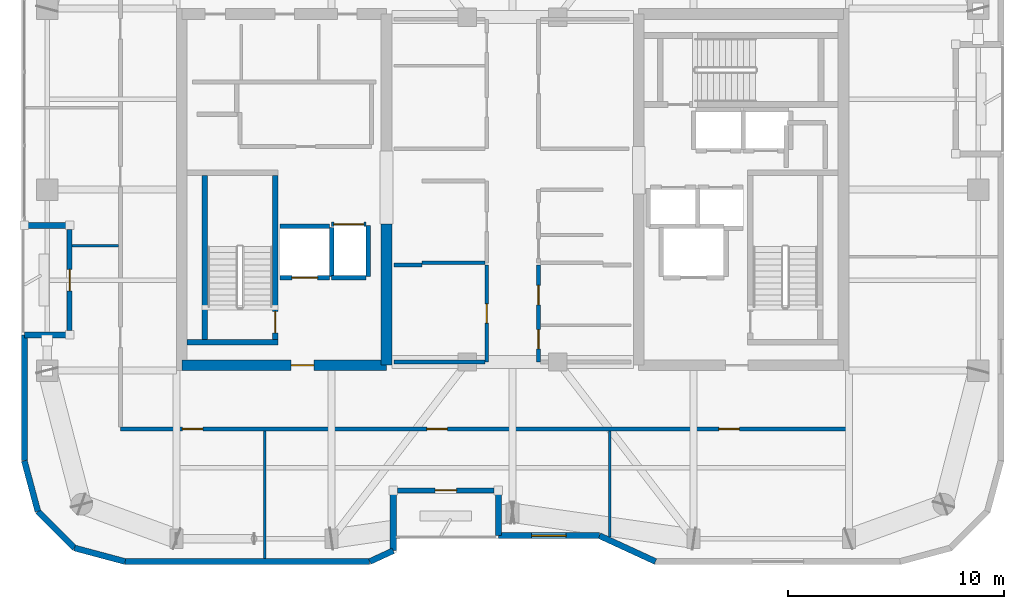
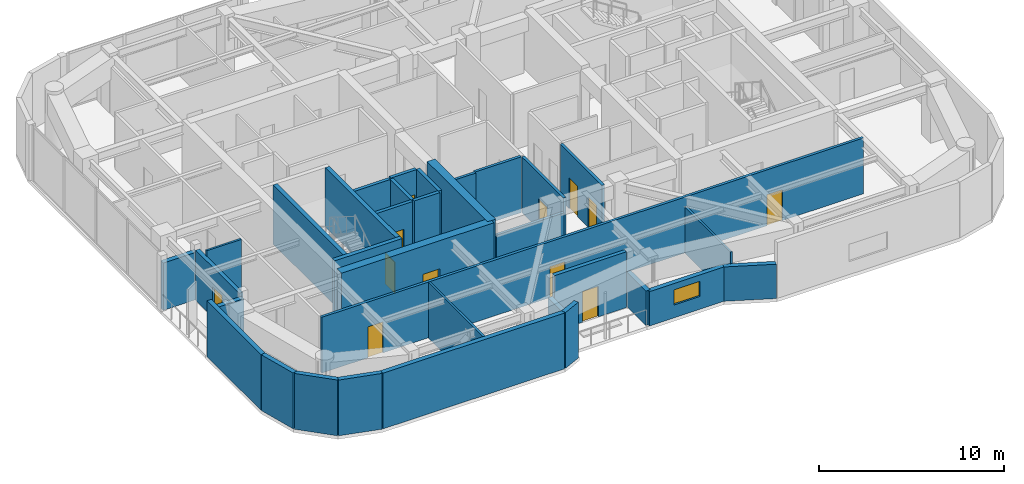
# One storey, part 10 of 15: 34 walls, 12 doors, 1 window, 13 openings.
"""IFC4 building model written with IfcOpenShell, lengths in metres."""

from ifc_helpers import new_model, si_unit, direction, frame, frame_2d, origin, place, context, subcontext, project, spatial, rectangle, extrude, material, layer, layer_set, type_object, element, fill, save


model = new_model("IFC4")

# Units and contexts
model_context = context("Model", 3, precision=1e-05, world=origin(), true_north=direction((0.0, 1.0)))
body_context = subcontext(model_context, "Body", "Model", "MODEL_VIEW")
ifc_project = project(units=[si_unit("LENGTHUNIT", "METRE"), si_unit("AREAUNIT", "SQUARE_METRE"), si_unit("VOLUMEUNIT", "CUBIC_METRE"), si_unit("PLANEANGLEUNIT", "RADIAN"), si_unit("MASSUNIT", "GRAM", prefix="KILO")], contexts=[model_context])

# Site, building, storey
site_placement = place(None, origin())
site = spatial("IfcSite", under=ifc_project, at=site_placement, CompositionType="ELEMENT")
building_placement = place(site_placement, origin())
building = spatial("IfcBuilding", under=site, at=building_placement, Name="Kiyonajd Concourse Tower", CompositionType="ELEMENT")
storey_placement = place(building_placement, frame((0.0, 0.0, 266.699951171875)))
storey = spatial("IfcBuildingStorey", under=building, at=storey_placement, Name="L67", CompositionType="ELEMENT", Elevation=266.699951171875)

# Wall
ifc_material_1 = material(Name="Concrete C60/75", Category="concrete")
ifc_layer_1 = layer(ifc_material_1, 0.5)
ifc_layer_set_1 = layer_set([ifc_layer_1], Name="Concrete C60/75")
wall_type_1 = type_object("IfcWallType", Name="WL-CORE-500", PredefinedType="SHEAR", material=ifc_layer_set_1)
wall_1_placement = place(storey_placement, frame((42.14990234375, 27.85009765625, 0.0), z_axis=(0.0, 0.0, 1.0), x_axis=(0.0, 1.0, 0.0)))
element("IfcWall", 1, at=wall_1_placement, inside=storey, type_object=wall_type_1, Name="L67 West Core Inner South Shear Wall", PredefinedType="SHEAR", context=body_context, shape_type="SweptSolid", body=[
    extrude(rectangle(XDim=6.5498046875, YDim=0.5, at=frame_2d((3.27490234375, 0.0))), origin(), (0.0, 0.0, 1.0), 3.900146484375),
])

# Wall, opening, door
wall_2_placement = place(storey_placement, frame((32.64990234375, 27.85009765625, 0.0), z_axis=(0.0, 0.0, 1.0), x_axis=(1.0, 0.0, 0.0)))
wall_2 = element("IfcWall", 2, at=wall_2_placement, inside=storey, type_object=wall_type_1, Name="L67 West Core South Shear Wall", PredefinedType="SHEAR", context=body_context, shape_type="SweptSolid", body=[
    extrude(rectangle(XDim=9.5, YDim=0.5, at=frame_2d((4.75, 0.0))), origin(), (0.0, 0.0, 1.0), 3.900146484375),
])
opening_1_placement = place(wall_2_placement, frame((5.074951171875, 0.0, 0.0)))
opening_1 = element("IfcOpeningElement", 3, at=opening_1_placement, cuts=wall_2, Name="Opening DF5", PredefinedType="OPENING", context=body_context, shape_type="SweptSolid", body=[
    extrude(rectangle(XDim=1.050048828125, YDim=2.0400390625, at=frame_2d((0.52490234375, 1.02001953125))), frame((0.0, 0.260009765625, 0.0), z_axis=(0.0, -1.0, 0.0), x_axis=(1.0, 0.0, 0.0)), (0.0, 0.0, 1.0), 0.52001953125),
])
ifc_material_2 = material(Name="Brushed Stainless Steel Cab Assembly", Category="steel")
door_type_1 = type_object("IfcDoorType", Name="DR-FD45-1050", OperationType="NOTDEFINED", PredefinedType="DOOR", material=ifc_material_2)
door_1_placement = place(opening_1_placement, origin())
door_1 = element("IfcDoor", 4, at=door_1_placement, inside=storey, type_object=door_type_1, Name="L67 Firefighting Lift Lobby W Smoke Door", OperationType="SINGLE_SWING_LEFT", OverallHeight=2.0400390625, OverallWidth=1.050048828125, PredefinedType="DOOR", context=body_context, shape_type="SweptSolid", body=[
    extrude(rectangle(XDim=1.050048828125, YDim=2.0400390625, at=frame_2d((0.52490234375, 1.02001953125))), frame((0.0, 0.02490234375, 0.0), z_axis=(0.0, -1.0, 0.0), x_axis=(1.0, 0.0, 0.0)), (0.0, 0.0, 1.0), 0.050048828125),
])
fill(opening_1, door_1)

# Walls
ifc_material_3 = material(Name="Precast concrete C50/60", Category="concrete")
ifc_layer_2 = layer(ifc_material_3, 0.280029296875)
ifc_layer_set_2 = layer_set([ifc_layer_2], Name="Precast concrete C50/60")
wall_type_2 = type_object("IfcWallType", Name="WL-EXT-280", PredefinedType="SOLIDWALL", material=ifc_layer_set_2)
wall_3_placement = place(storey_placement, frame((25.968505859375, 21.072509765625, 0.0), z_axis=(0.0, 0.0, 1.0), x_axis=(-0.258751159445, 0.965944013639, 0.0)))
element("IfcWall", 5, at=wall_3_placement, inside=storey, type_object=wall_type_2, Name="L67 Exterior Concrete Frame Wall 00", PredefinedType="SOLIDWALL", context=body_context, shape_type="SweptSolid", body=[
    extrude(rectangle(XDim=2.4287109375, YDim=0.280029296875, at=frame_2d((1.21435546875, 0.0))), origin(), (0.0, 0.0, 1.0), 3.679931640625),
])
wall_4_placement = place(storey_placement, frame((25.340087890625, 23.41845703125, 0.0), z_axis=(0.0, 0.0, 1.0), x_axis=(0.0, 1.0, 0.0)))
element("IfcWall", 6, at=wall_4_placement, inside=storey, type_object=wall_type_2, Name="L67 Exterior Concrete Frame Wall 01", PredefinedType="SOLIDWALL", context=body_context, shape_type="SweptSolid", body=[
    extrude(rectangle(XDim=5.841552734375, YDim=0.280029296875, at=frame_2d((2.9208984375, 0.0))), origin(), (0.0, 0.0, 1.0), 3.679931640625),
])
for number, where, z_axis, x_axis, name in (
    (7, (25.340087890625, 29.260009765625, 0.0), (0.0, 0.0, 1.0), (1.0, 0.0, 0.0), "L67 Exterior Concrete Frame Wall 02"),
    (8, (27.43994140625, 34.340087890625, 0.0), (0.0, 0.0, 1.0), (-1.0, 0.0, 0.0), "L67 Exterior Concrete Frame Wall 04"),
):
    element("IfcWall", number, at=place(storey_placement, frame(where, z_axis=z_axis, x_axis=x_axis)), inside=storey, type_object=wall_type_2, Name=name, PredefinedType="SOLIDWALL", context=body_context, shape_type="SweptSolid", body=[
        extrude(rectangle(XDim=2.099853515625, YDim=0.280029296875, at=frame_2d((1.0498046875, 0.0))), origin(), (0.0, 0.0, 1.0), 3.1259765625),
    ])
wall_5_placement = place(storey_placement, frame((54.630615234375, 18.739990234375, 0.0), z_axis=(0.0, 0.0, 1.0), x_axis=(-0.907956889006, 0.419063584324, 0.0)))
element("IfcWall", 9, at=wall_5_placement, inside=storey, type_object=wall_type_2, Name="L67 Exterior Concrete Frame Wall 29", PredefinedType="SOLIDWALL", context=body_context, shape_type="SweptSolid", body=[
    extrude(rectangle(XDim=2.863525390625, YDim=0.280029296875, at=frame_2d((1.431640625, 0.0))), origin(), (0.0, 0.0, 1.0), 2.26513671875),
])

# Wall, opening, window
wall_6_placement = place(storey_placement, frame((52.03076171875, 19.93994140625, 0.0), z_axis=(0.0, 0.0, 1.0), x_axis=(-1.0, 0.0, 0.0)))
wall_6 = element("IfcWall", 10, at=wall_6_placement, inside=storey, type_object=wall_type_2, Name="L67 Exterior Concrete Frame Wall 30", PredefinedType="SOLIDWALL", context=body_context, shape_type="SweptSolid", body=[
    extrude(rectangle(XDim=4.690673828125, YDim=0.280029296875, at=frame_2d((2.34521484375, 0.0))), origin(), (0.0, 0.0, 1.0), 2.26513671875),
])
opening_2_placement = place(wall_6_placement, frame((1.544921875, 0.0, 0.85009765625)))
opening_2 = element("IfcOpeningElement", 11, at=opening_2_placement, cuts=wall_6, Name="Opening WN6", PredefinedType="OPENING", context=body_context, shape_type="SweptSolid", body=[
    extrude(rectangle(XDim=1.60009765625, YDim=1.0, at=frame_2d((0.800048828125, 0.5))), frame((0.0, 0.14990234375, 0.0), z_axis=(0.0, -1.0, 0.0), x_axis=(1.0, 0.0, 0.0)), (0.0, 0.0, 1.0), 0.300048828125),
])
ifc_material_4 = material(Name="Double Low-E Insulated Glass", Category="glass")
window_type = type_object("IfcWindowType", Name="WN-VIS-1600x1000", PartitioningType="SINGLE_PANEL", PredefinedType="WINDOW", material=ifc_material_4)
window_placement = place(opening_2_placement, origin())
window = element("IfcWindow", 12, at=window_placement, inside=storey, type_object=window_type, Name="L67 Modular Facade Vision Window 30", OverallHeight=1.0, OverallWidth=1.60009765625, PartitioningType="SINGLE_PANEL", PredefinedType="WINDOW", context=body_context, shape_type="SweptSolid", body=[
    extrude(rectangle(XDim=1.60009765625, YDim=1.0, at=frame_2d((0.800048828125, 0.5))), frame((0.0, 0.030029296875, 0.0), z_axis=(0.0, -1.0, 0.0), x_axis=(1.0, 0.0, 0.0)), (0.0, 0.0, 1.0), 0.06005859375),
])
fill(opening_2, window)

# Walls
wall_7_placement = place(storey_placement, frame((47.340087890625, 19.93994140625, 0.0), z_axis=(0.0, 0.0, 1.0), x_axis=(0.0, 1.0, 0.0)))
element("IfcWall", 13, at=wall_7_placement, inside=storey, type_object=wall_type_2, Name="L67 Exterior Concrete Frame Wall 31", PredefinedType="SOLIDWALL", context=body_context, shape_type="SweptSolid", body=[
    extrude(rectangle(XDim=2.10009765625, YDim=0.280029296875, at=frame_2d((1.050048828125, 0.0))), origin(), (0.0, 0.0, 1.0), 2.26513671875),
])
wall_8_placement = place(storey_placement, frame((42.4599609375, 22.0400390625, 0.0), z_axis=(0.0, 0.0, 1.0), x_axis=(0.0, -1.0, 0.0)))
element("IfcWall", 14, at=wall_8_placement, inside=storey, type_object=wall_type_2, Name="L67 Exterior Concrete Frame Wall 33", PredefinedType="SOLIDWALL", context=body_context, shape_type="SweptSolid", body=[
    extrude(rectangle(XDim=2.79638671875, YDim=0.280029296875, at=frame_2d((1.398193359375, 0.0))), origin(), (0.0, 0.0, 1.0), 2.26513671875),
])
wall_9_placement = place(storey_placement, frame((42.4599609375, 19.24365234375, 0.0), z_axis=(0.0, 0.0, 1.0), x_axis=(-0.907893953211, -0.419199916176, 0.0)))
element("IfcWall", 15, at=wall_9_placement, inside=storey, type_object=wall_type_2, Name="L67 Exterior Concrete Frame Wall 34", PredefinedType="SOLIDWALL", context=body_context, shape_type="SweptSolid", body=[
    extrude(rectangle(XDim=1.201416015625, YDim=0.280029296875, at=frame_2d((0.6005859375, 0.0))), origin(), (0.0, 0.0, 1.0), 3.679931640625),
])
wall_10_placement = place(storey_placement, frame((41.369140625, 18.739990234375, 0.0), z_axis=(0.0, 0.0, 1.0), x_axis=(-1.0, 0.0, 0.0)))
element("IfcWall", 16, at=wall_10_placement, inside=storey, type_object=wall_type_2, Name="L67 Exterior Concrete Frame Wall 35", PredefinedType="SOLIDWALL", context=body_context, shape_type="SweptSolid", body=[
    extrude(rectangle(XDim=11.350830078125, YDim=0.280029296875, at=frame_2d((5.67529296875, 0.0))), origin(), (0.0, 0.0, 1.0), 3.679931640625),
])
wall_11_placement = place(storey_placement, frame((30.018310546875, 18.739990234375, 0.0), z_axis=(0.0, 0.0, 1.0), x_axis=(-0.965937282298, 0.25877628691, 0.0)))
element("IfcWall", 17, at=wall_11_placement, inside=storey, type_object=wall_type_2, Name="L67 Exterior Concrete Frame Wall 36", PredefinedType="SOLIDWALL", context=body_context, shape_type="SweptSolid", body=[
    extrude(rectangle(XDim=2.428466796875, YDim=0.280029296875, at=frame_2d((1.21435546875, 0.0))), origin(), (0.0, 0.0, 1.0), 3.679931640625),
])
wall_12_placement = place(storey_placement, frame((27.672607421875, 19.368408203125, 0.0), z_axis=(0.0, 0.0, 1.0), x_axis=(-0.707106781187, 0.707106781187, 0.0)))
element("IfcWall", 18, at=wall_12_placement, inside=storey, type_object=wall_type_2, Name="L67 Exterior Concrete Frame Wall 37", PredefinedType="SOLIDWALL", context=body_context, shape_type="SweptSolid", body=[
    extrude(rectangle(XDim=2.409912109375, YDim=0.280029296875, at=frame_2d((1.205078125, 0.0))), origin(), (0.0, 0.0, 1.0), 3.679931640625),
])

# Wall, opening, door
ifc_layer_3 = layer(ifc_material_3, 0.239990234375)
ifc_layer_set_3 = layer_set([ifc_layer_3], Name="Precast concrete C50/60")
wall_type_3 = type_object("IfcWallType", Name="WL-LOG-240", PredefinedType="SOLIDWALL", material=ifc_layer_set_3)
wall_13_placement = place(storey_placement, frame((27.43994140625, 29.455078125, 0.0), z_axis=(0.0, 0.0, 1.0), x_axis=(0.0, 1.0, 0.0)))
wall_13 = element("IfcWall", 19, at=wall_13_placement, inside=storey, type_object=wall_type_3, Name="L67 Recessed Loggia Thermal Wall LOG-W", PredefinedType="SOLIDWALL", context=body_context, shape_type="SweptSolid", body=[
    extrude(rectangle(XDim=4.68994140625, YDim=0.239990234375, at=frame_2d((2.344970703125, 0.0))), origin(), (0.0, 0.0, 1.0), 3.31103515625),
])
opening_3_placement = place(wall_13_placement, frame((1.844970703125, 0.0, 0.0)))
opening_3 = element("IfcOpeningElement", 20, at=opening_3_placement, cuts=wall_13, Name="Opening DL1", PredefinedType="OPENING", context=body_context, shape_type="SweptSolid", body=[
    extrude(rectangle(XDim=1.0, YDim=2.02001953125, at=frame_2d((0.5, 1.010009765625))), frame((0.0, 0.1298828125, 0.0), z_axis=(0.0, -1.0, 0.0), x_axis=(1.0, 0.0, 0.0)), (0.0, 0.0, 1.0), 0.260009765625),
])
ifc_material_5 = material(Name="Thermally Broken Anodised Aluminium", Category="aluminium")
door_type_2 = type_object("IfcDoorType", Name="DR-LOG-1000", OperationType="NOTDEFINED", PredefinedType="DOOR", material=ifc_material_5)
door_2_placement = place(opening_3_placement, origin())
door_2 = element("IfcDoor", 21, at=door_2_placement, inside=storey, type_object=door_type_2, Name="L67 Engawa Loggia Access Door LOG-W", OperationType="SINGLE_SWING_LEFT", OverallHeight=2.02001953125, OverallWidth=1.0, PredefinedType="DOOR", context=body_context, shape_type="SweptSolid", body=[
    extrude(rectangle(XDim=1.0, YDim=2.02001953125, at=frame_2d((0.5, 1.010009765625))), frame((0.0, 0.02490234375, 0.0), z_axis=(0.0, -1.0, 0.0), x_axis=(1.0, 0.0, 0.0)), (0.0, 0.0, 1.0), 0.050048828125),
])
fill(opening_3, door_2)

wall_14_placement = place(storey_placement, frame((47.14501953125, 22.0400390625, 0.0), z_axis=(0.0, 0.0, 1.0), x_axis=(-1.0, 0.0, 0.0)))
wall_14 = element("IfcWall", 22, at=wall_14_placement, inside=storey, type_object=wall_type_3, Name="L67 Recessed Loggia Thermal Wall LOG-S", PredefinedType="SOLIDWALL", context=body_context, shape_type="SweptSolid", body=[
    extrude(rectangle(XDim=4.489990234375, YDim=0.239990234375, at=frame_2d((2.2451171875, 0.0))), origin(), (0.0, 0.0, 1.0), 3.679931640625),
])
opening_4_placement = place(wall_14_placement, frame((1.7451171875, 0.0, 0.0)))
opening_4 = element("IfcOpeningElement", 23, at=opening_4_placement, cuts=wall_14, Name="Opening DL1", PredefinedType="OPENING", context=body_context, shape_type="SweptSolid", body=[
    extrude(rectangle(XDim=1.0, YDim=2.02001953125, at=frame_2d((0.5, 1.010009765625))), frame((0.0, 0.1298828125, 0.0), z_axis=(0.0, -1.0, 0.0), x_axis=(1.0, 0.0, 0.0)), (0.0, 0.0, 1.0), 0.260009765625),
])
door_3_placement = place(opening_4_placement, origin())
door_3 = element("IfcDoor", 24, at=door_3_placement, inside=storey, type_object=door_type_2, Name="L67 Engawa Loggia Access Door LOG-S", OperationType="SINGLE_SWING_RIGHT", OverallHeight=2.02001953125, OverallWidth=1.0, PredefinedType="DOOR", context=body_context, shape_type="SweptSolid", body=[
    extrude(rectangle(XDim=1.0, YDim=2.02001953125, at=frame_2d((0.5, 1.010009765625))), frame((0.0, 0.02490234375, 0.0), z_axis=(0.0, -1.0, 0.0), x_axis=(1.0, 0.0, 0.0)), (0.0, 0.0, 1.0), 0.050048828125),
])
fill(opening_4, door_3)

# Walls
ifc_material_6 = material(Name="Gypsum Board on Cold-Formed Steel Stud", Category="steel")
ifc_layer_4 = layer(ifc_material_6, 0.125)
ifc_layer_set_4 = layer_set([ifc_layer_4], Name="Gypsum Board on Cold-Formed Steel Stud")
wall_type_4 = type_object("IfcWallType", Name="WL-PART-125", PredefinedType="PARTITIONING", material=ifc_layer_set_4)
wall_15_placement = place(storey_placement, frame((36.5, 18.875, 0.0), z_axis=(0.0, 0.0, 1.0), x_axis=(0.0, 1.0, 0.0)))
element("IfcWall", 25, at=wall_15_placement, inside=storey, type_object=wall_type_4, Name="L67 Interior Partition Wall", PredefinedType="PARTITIONING", context=body_context, shape_type="SweptSolid", body=[
    extrude(rectangle(XDim=5.927978515625, YDim=0.125, at=frame_2d((2.9638671875, 0.0))), origin(), (0.0, 0.0, 1.0), 3.679931640625),
])
wall_16_placement = place(storey_placement, frame((52.5, 19.875, 0.0), z_axis=(0.0, 0.0, 1.0), x_axis=(0.0, 1.0, 0.0)))
element("IfcWall", 26, at=wall_16_placement, inside=storey, type_object=wall_type_4, Name="L67 Interior Partition Wall", PredefinedType="PARTITIONING", context=body_context, shape_type="SweptSolid", body=[
    extrude(rectangle(XDim=4.927978515625, YDim=0.125, at=frame_2d((2.4638671875, 0.0))), origin(), (0.0, 0.0, 1.0), 3.04296875),
])
wall_17_placement = place(storey_placement, frame((27.554931640625, 33.39990234375, 0.0), z_axis=(0.0, 0.0, 1.0), x_axis=(1.0, 0.0, 0.0)))
element("IfcWall", 27, at=wall_17_placement, inside=storey, type_object=wall_type_4, Name="L67 Interior Partition Wall", PredefinedType="PARTITIONING", context=body_context, shape_type="SweptSolid", body=[
    extrude(rectangle(XDim=2.157958984375, YDim=0.125, at=frame_2d((1.0791015625, 0.0))), origin(), (0.0, 0.0, 1.0), 3.679931640625),
])

# Wall, opening, door
ifc_layer_5 = layer(ifc_material_6, 0.2099609375)
ifc_layer_set_5 = layer_set([ifc_layer_5], Name="Gypsum Board on Cold-Formed Steel Stud")
wall_type_5 = type_object("IfcWallType", Name="WL-SHAFT-210", PredefinedType="PARTITIONING", material=ifc_layer_set_5)
wall_18_placement = place(storey_placement, frame((37.199951171875, 31.89990234375, 0.0), z_axis=(0.0, 0.0, 1.0), x_axis=(1.0, 0.0, 0.0)))
wall_18 = element("IfcWall", 28, at=wall_18_placement, inside=storey, type_object=wall_type_5, Name="L67 Shaft Enclosure Wall", PredefinedType="PARTITIONING", context=body_context, shape_type="SweptSolid", body=[
    extrude(rectangle(XDim=2.300048828125, YDim=0.2099609375, at=frame_2d((1.14990234375, 0.0))), origin(), (0.0, 0.0, 1.0), 3.679931640625),
])
opening_5_placement = place(wall_18_placement, frame((0.550048828125, 0.0, 0.0)))
opening_5 = element("IfcOpeningElement", 29, at=opening_5_placement, cuts=wall_18, Name="Opening LD2", PredefinedType="OPENING", context=body_context, shape_type="SweptSolid", body=[
    extrude(rectangle(XDim=1.199951171875, YDim=2.0400390625, at=frame_2d((0.60009765625, 1.02001953125))), frame((0.0, 0.114990234375, 0.0), z_axis=(0.0, -1.0, 0.0), x_axis=(1.0, 0.0, 0.0)), (0.0, 0.0, 1.0), 0.22998046875),
])
door_type_3 = type_object("IfcDoorType", Name="DR-LD-1200", OperationType="DOUBLE_DOOR_SLIDING", PredefinedType="DOOR", material=ifc_material_2)
door_4_placement = place(opening_5_placement, origin())
door_4 = element("IfcDoor", 30, at=door_4_placement, inside=storey, type_object=door_type_3, Name="L67 Lift FFL1 Sliding Landing Door", OperationType="DOUBLE_DOOR_SLIDING", OverallHeight=2.0400390625, OverallWidth=1.199951171875, PredefinedType="DOOR", context=body_context, shape_type="SweptSolid", body=[
    extrude(rectangle(XDim=1.199951171875, YDim=2.0400390625, at=frame_2d((0.60009765625, 1.02001953125))), frame((0.0, 0.02490234375, 0.0), z_axis=(0.0, -1.0, 0.0), x_axis=(1.0, 0.0, 0.0)), (0.0, 0.0, 1.0), 0.050048828125),
])
fill(opening_5, door_4)

# Walls
wall_19_placement = place(storey_placement, frame((37.199951171875, 34.300048828125, 0.0), z_axis=(0.0, 0.0, 1.0), x_axis=(1.0, 0.0, 0.0)))
element("IfcWall", 31, at=wall_19_placement, inside=storey, type_object=wall_type_5, Name="L67 Shaft Enclosure Wall", PredefinedType="PARTITIONING", context=body_context, shape_type="SweptSolid", body=[
    extrude(rectangle(XDim=2.300048828125, YDim=0.2099609375, at=frame_2d((1.14990234375, 0.0))), origin(), (0.0, 0.0, 1.0), 3.679931640625),
])
wall_20_placement = place(storey_placement, frame((39.60009765625, 31.9599609375, 0.0), z_axis=(0.0, 0.0, 1.0), x_axis=(0.0, 1.0, 0.0)))
element("IfcWall", 32, at=wall_20_placement, inside=storey, type_object=wall_type_5, Name="L67 Shaft Enclosure Wall", PredefinedType="PARTITIONING", context=body_context, shape_type="SweptSolid", body=[
    extrude(rectangle(XDim=2.280029296875, YDim=0.2099609375, at=frame_2d((1.14013671875, 0.0))), origin(), (0.0, 0.0, 1.0), 3.679931640625),
])

# Wall, opening, door
wall_21_placement = place(storey_placement, frame((39.60009765625, 34.39990234375, 0.0), z_axis=(0.0, 0.0, 1.0), x_axis=(1.0, 0.0, 0.0)))
wall_21 = element("IfcWall", 33, at=wall_21_placement, inside=storey, type_object=wall_type_5, Name="L67 Shaft Enclosure Wall", PredefinedType="PARTITIONING", context=body_context, shape_type="SweptSolid", body=[
    extrude(rectangle(XDim=1.599853515625, YDim=0.2099609375, at=frame_2d((0.7998046875, 0.0))), origin(), (0.0, 0.0, 1.0), 3.679931640625),
])
opening_6_placement = place(wall_21_placement, frame((0.10009765625, 0.0, 0.0)))
opening_6 = element("IfcOpeningElement", 34, at=opening_6_placement, cuts=wall_21, Name="Opening LD3", PredefinedType="OPENING", context=body_context, shape_type="SweptSolid", body=[
    extrude(rectangle(XDim=1.39990234375, YDim=2.06005859375, at=frame_2d((0.699951171875, 1.030029296875))), frame((0.0, 0.114990234375, 0.0), z_axis=(0.0, -1.0, 0.0), x_axis=(1.0, 0.0, 0.0)), (0.0, 0.0, 1.0), 0.22998046875),
])
door_type_4 = type_object("IfcDoorType", Name="DR-LD-1400", OperationType="DOUBLE_DOOR_SLIDING", PredefinedType="DOOR", material=ifc_material_2)
door_5_placement = place(opening_6_placement, origin())
door_5 = element("IfcDoor", 35, at=door_5_placement, inside=storey, type_object=door_type_4, Name="L67 Lift SVL1 Sliding Landing Door", OperationType="DOUBLE_DOOR_SLIDING", OverallHeight=2.06005859375, OverallWidth=1.39990234375, PredefinedType="DOOR", context=body_context, shape_type="SweptSolid", body=[
    extrude(rectangle(XDim=1.39990234375, YDim=2.06005859375, at=frame_2d((0.699951171875, 1.030029296875))), frame((0.0, 0.02490234375, 0.0), z_axis=(0.0, -1.0, 0.0), x_axis=(1.0, 0.0, 0.0)), (0.0, 0.0, 1.0), 0.050048828125),
])
fill(opening_6, door_5)

# Walls
wall_22_placement = place(storey_placement, frame((39.60009765625, 31.89990234375, 0.0), z_axis=(0.0, 0.0, 1.0), x_axis=(1.0, 0.0, 0.0)))
element("IfcWall", 36, at=wall_22_placement, inside=storey, type_object=wall_type_5, Name="L67 Shaft Enclosure Wall", PredefinedType="PARTITIONING", context=body_context, shape_type="SweptSolid", body=[
    extrude(rectangle(XDim=1.599853515625, YDim=0.2099609375, at=frame_2d((0.7998046875, 0.0))), origin(), (0.0, 0.0, 1.0), 3.679931640625),
])
wall_23_placement = place(storey_placement, frame((41.300048828125, 31.9599609375, 0.0), z_axis=(0.0, 0.0, 1.0), x_axis=(0.0, 1.0, 0.0)))
element("IfcWall", 37, at=wall_23_placement, inside=storey, type_object=wall_type_5, Name="L67 Shaft Enclosure Wall", PredefinedType="PARTITIONING", context=body_context, shape_type="SweptSolid", body=[
    extrude(rectangle(XDim=2.380126953125, YDim=0.2099609375, at=frame_2d((1.18994140625, 0.0))), origin(), (0.0, 0.0, 1.0), 3.679931640625),
])
ifc_layer_6 = layer(ifc_material_6, 0.169921875)
ifc_layer_set_6 = layer_set([ifc_layer_6], Name="Gypsum Board on Cold-Formed Steel Stud")
wall_type_6 = type_object("IfcWallType", Name="WL-SMK-170", PredefinedType="PARTITIONING", material=ifc_layer_set_6)
wall_24_placement = place(storey_placement, frame((43.800048828125, 32.60009765625, 0.0), z_axis=(0.0, 0.0, 1.0), x_axis=(1.0, 0.0, 0.0)))
element("IfcWall", 38, at=wall_24_placement, inside=storey, type_object=wall_type_6, Name="L67 Interior Partition Wall", PredefinedType="PARTITIONING", context=body_context, shape_type="SweptSolid", body=[
    extrude(rectangle(XDim=2.912841796875, YDim=0.169921875, at=frame_2d((1.45654296875, 0.0))), origin(), (0.0, 0.0, 1.0), 3.679931640625),
])

# Wall, opening, door
wall_25_placement = place(storey_placement, frame((46.800048828125, 28.0, 0.0), z_axis=(0.0, 0.0, 1.0), x_axis=(0.0, 1.0, 0.0)))
wall_25 = element("IfcWall", 39, at=wall_25_placement, inside=storey, type_object=wall_type_6, Name="L67 Interior Partition Wall", PredefinedType="PARTITIONING", context=body_context, shape_type="SweptSolid", body=[
    extrude(rectangle(XDim=4.5, YDim=0.169921875, at=frame_2d((2.25, 0.0))), origin(), (0.0, 0.0, 1.0), 3.679931640625),
])
opening_7_placement = place(wall_25_placement, frame((1.800048828125, 0.0, 0.0)))
opening_7 = element("IfcOpeningElement", 40, at=opening_7_placement, cuts=wall_25, Name="Opening DI2", PredefinedType="OPENING", context=body_context, shape_type="SweptSolid", body=[
    extrude(rectangle(XDim=0.89990234375, YDim=2.02001953125, at=frame_2d((0.449951171875, 1.010009765625))), frame((0.0, 0.094970703125, 0.0), z_axis=(0.0, -1.0, 0.0), x_axis=(1.0, 0.0, 0.0)), (0.0, 0.0, 1.0), 0.18994140625),
])
ifc_material_7 = material(Name="Natural Oak Acoustic Timber Veneer", Category="wood")
door_type_5 = type_object("IfcDoorType", Name="DR-INT-900", OperationType="NOTDEFINED", PredefinedType="DOOR", material=ifc_material_7)
door_6_placement = place(opening_7_placement, origin())
door_6 = element("IfcDoor", 41, at=door_6_placement, inside=storey, type_object=door_type_5, Name="L67 Interior Door", OperationType="SINGLE_SWING_LEFT", OverallHeight=2.02001953125, OverallWidth=0.89990234375, PredefinedType="DOOR", context=body_context, shape_type="SweptSolid", body=[
    extrude(rectangle(XDim=0.89990234375, YDim=2.02001953125, at=frame_2d((0.449951171875, 1.010009765625))), frame((0.0, 0.02490234375, 0.0), z_axis=(0.0, -1.0, 0.0), x_axis=(1.0, 0.0, 0.0)), (0.0, 0.0, 1.0), 0.050048828125),
])
fill(opening_7, door_6)

# Walls
wall_26_placement = place(storey_placement, frame((42.5, 28.0, 0.0), z_axis=(0.0, 0.0, 1.0), x_axis=(1.0, 0.0, 0.0)))
element("IfcWall", 42, at=wall_26_placement, inside=storey, type_object=wall_type_6, Name="L67 Interior Partition Wall", PredefinedType="PARTITIONING", context=body_context, shape_type="SweptSolid", body=[
    extrude(rectangle(XDim=4.212890625, YDim=0.169921875, at=frame_2d((2.1064453125, 0.0))), origin(), (0.0, 0.0, 1.0), 2.76513671875),
])
wall_27_placement = place(storey_placement, frame((42.5, 32.5, 0.0), z_axis=(0.0, 0.0, 1.0), x_axis=(1.0, 0.0, 0.0)))
element("IfcWall", 43, at=wall_27_placement, inside=storey, type_object=wall_type_6, Name="L67 Interior Partition Wall", PredefinedType="PARTITIONING", context=body_context, shape_type="SweptSolid", body=[
    extrude(rectangle(XDim=1.300048828125, YDim=0.169921875, at=frame_2d((0.64990234375, 0.0))), origin(), (0.0, 0.0, 1.0), 3.679931640625),
])

# Wall, openings, doors
wall_28_placement = place(storey_placement, frame((49.199951171875, 28.0, 0.0), z_axis=(0.0, 0.0, 1.0), x_axis=(0.0, 1.0, 0.0)))
wall_28 = element("IfcWall", 44, at=wall_28_placement, inside=storey, type_object=wall_type_6, Name="L67 Interior Partition Wall", PredefinedType="PARTITIONING", context=body_context, shape_type="SweptSolid", body=[
    extrude(rectangle(XDim=4.5, YDim=0.169921875, at=frame_2d((2.25, 0.0))), origin(), (0.0, 0.0, 1.0), 3.679931640625),
])
opening_8_placement = place(wall_28_placement, frame((0.60498046875, 0.0, 0.0)))
opening_8 = element("IfcOpeningElement", 45, at=opening_8_placement, cuts=wall_28, Name="Opening DI2", PredefinedType="OPENING", context=body_context, shape_type="SweptSolid", body=[
    extrude(rectangle(XDim=0.89990234375, YDim=2.02001953125, at=frame_2d((0.449951171875, 1.010009765625))), frame((0.0, 0.094970703125, 0.0), z_axis=(0.0, -1.0, 0.0), x_axis=(1.0, 0.0, 0.0)), (0.0, 0.0, 1.0), 0.18994140625),
])
opening_9_placement = place(wall_28_placement, frame((2.655029296875, 0.0, 0.0)))
opening_9 = element("IfcOpeningElement", 46, at=opening_9_placement, cuts=wall_28, Name="Opening DI2", PredefinedType="OPENING", context=body_context, shape_type="SweptSolid", body=[
    extrude(rectangle(XDim=0.89990234375, YDim=2.02001953125, at=frame_2d((0.449951171875, 1.010009765625))), frame((0.0, 0.094970703125, 0.0), z_axis=(0.0, -1.0, 0.0), x_axis=(1.0, 0.0, 0.0)), (0.0, 0.0, 1.0), 0.18994140625),
])
door_7_placement = place(opening_8_placement, origin())
door_7 = element("IfcDoor", 47, at=door_7_placement, inside=storey, type_object=door_type_5, Name="L67 Interior Door", OperationType="SINGLE_SWING_RIGHT", OverallHeight=2.02001953125, OverallWidth=0.89990234375, PredefinedType="DOOR", context=body_context, shape_type="SweptSolid", body=[
    extrude(rectangle(XDim=0.89990234375, YDim=2.02001953125, at=frame_2d((0.449951171875, 1.010009765625))), frame((0.0, 0.02490234375, 0.0), z_axis=(0.0, -1.0, 0.0), x_axis=(1.0, 0.0, 0.0)), (0.0, 0.0, 1.0), 0.050048828125),
])
fill(opening_8, door_7)
door_8_placement = place(opening_9_placement, origin())
door_8 = element("IfcDoor", 48, at=door_8_placement, inside=storey, type_object=door_type_5, Name="L67 Interior Door", OperationType="SINGLE_SWING_LEFT", OverallHeight=2.02001953125, OverallWidth=0.89990234375, PredefinedType="DOOR", context=body_context, shape_type="SweptSolid", body=[
    extrude(rectangle(XDim=0.89990234375, YDim=2.02001953125, at=frame_2d((0.449951171875, 1.010009765625))), frame((0.0, 0.02490234375, 0.0), z_axis=(0.0, -1.0, 0.0), x_axis=(1.0, 0.0, 0.0)), (0.0, 0.0, 1.0), 0.050048828125),
])
fill(opening_9, door_8)

wall_29_placement = place(storey_placement, frame((29.800048828125, 24.889892578125, 0.0), z_axis=(0.0, 0.0, 1.0), x_axis=(1.0, 0.0, 0.0)))
wall_29 = element("IfcWall", 49, at=wall_29_placement, inside=storey, type_object=wall_type_6, Name="L67 Interior Partition Wall", PredefinedType="PARTITIONING", context=body_context, shape_type="SweptSolid", body=[
    extrude(rectangle(XDim=33.800048828125, YDim=0.169921875, at=frame_2d((16.89990234375, 0.0))), origin(), (0.0, 0.0, 1.0), 3.679931640625),
])
opening_10_placement = place(wall_29_placement, frame((2.875, 0.0, 0.0)))
opening_10 = element("IfcOpeningElement", 50, at=opening_10_placement, cuts=wall_29, Name="Opening DI1", PredefinedType="OPENING", context=body_context, shape_type="SweptSolid", body=[
    extrude(rectangle(XDim=0.949951171875, YDim=2.0400390625, at=frame_2d((0.47509765625, 1.02001953125))), frame((0.0, 0.094970703125, 0.0), z_axis=(0.0, -1.0, 0.0), x_axis=(1.0, 0.0, 0.0)), (0.0, 0.0, 1.0), 0.18994140625),
])
opening_11_placement = place(wall_29_placement, frame((14.22509765625, 0.0, 0.0)))
opening_11 = element("IfcOpeningElement", 51, at=opening_11_placement, cuts=wall_29, Name="Opening DI1", PredefinedType="OPENING", context=body_context, shape_type="SweptSolid", body=[
    extrude(rectangle(XDim=0.949951171875, YDim=2.0400390625, at=frame_2d((0.47509765625, 1.02001953125))), frame((0.0, 0.094970703125, 0.0), z_axis=(0.0, -1.0, 0.0), x_axis=(1.0, 0.0, 0.0)), (0.0, 0.0, 1.0), 0.18994140625),
])
opening_12_placement = place(wall_29_placement, frame((27.77490234375, 0.0, 0.0)))
opening_12 = element("IfcOpeningElement", 52, at=opening_12_placement, cuts=wall_29, Name="Opening DI1", PredefinedType="OPENING", context=body_context, shape_type="SweptSolid", body=[
    extrude(rectangle(XDim=0.949951171875, YDim=2.0400390625, at=frame_2d((0.47509765625, 1.02001953125))), frame((0.0, 0.094970703125, 0.0), z_axis=(0.0, -1.0, 0.0), x_axis=(1.0, 0.0, 0.0)), (0.0, 0.0, 1.0), 0.18994140625),
])
door_type_6 = type_object("IfcDoorType", Name="DR-INT-950", OperationType="NOTDEFINED", PredefinedType="DOOR", material=ifc_material_7)
door_9_placement = place(opening_10_placement, origin())
door_9 = element("IfcDoor", 53, at=door_9_placement, inside=storey, type_object=door_type_6, Name="L67 Interior Door", OperationType="SINGLE_SWING_LEFT", OverallHeight=2.0400390625, OverallWidth=0.949951171875, PredefinedType="DOOR", context=body_context, shape_type="SweptSolid", body=[
    extrude(rectangle(XDim=0.949951171875, YDim=2.0400390625, at=frame_2d((0.47509765625, 1.02001953125))), frame((0.0, 0.02490234375, 0.0), z_axis=(0.0, -1.0, 0.0), x_axis=(1.0, 0.0, 0.0)), (0.0, 0.0, 1.0), 0.050048828125),
])
fill(opening_10, door_9)
door_10_placement = place(opening_11_placement, origin())
door_10 = element("IfcDoor", 54, at=door_10_placement, inside=storey, type_object=door_type_6, Name="L67 Interior Door", OperationType="SINGLE_SWING_RIGHT", OverallHeight=2.0400390625, OverallWidth=0.949951171875, PredefinedType="DOOR", context=body_context, shape_type="SweptSolid", body=[
    extrude(rectangle(XDim=0.949951171875, YDim=2.0400390625, at=frame_2d((0.47509765625, 1.02001953125))), frame((0.0, 0.02490234375, 0.0), z_axis=(0.0, -1.0, 0.0), x_axis=(1.0, 0.0, 0.0)), (0.0, 0.0, 1.0), 0.050048828125),
])
fill(opening_11, door_10)
door_11_placement = place(opening_12_placement, origin())
door_11 = element("IfcDoor", 55, at=door_11_placement, inside=storey, type_object=door_type_6, Name="L67 Interior Door", OperationType="SINGLE_SWING_LEFT", OverallHeight=2.0400390625, OverallWidth=0.949951171875, PredefinedType="DOOR", context=body_context, shape_type="SweptSolid", body=[
    extrude(rectangle(XDim=0.949951171875, YDim=2.0400390625, at=frame_2d((0.47509765625, 1.02001953125))), frame((0.0, 0.02490234375, 0.0), z_axis=(0.0, -1.0, 0.0), x_axis=(1.0, 0.0, 0.0)), (0.0, 0.0, 1.0), 0.050048828125),
])
fill(opening_12, door_11)

# Walls
ifc_material_8 = material(Name="Concrete C50/60", Category="concrete")
ifc_layer_7 = layer(ifc_material_8, 0.260009765625)
ifc_layer_set_7 = layer_set([ifc_layer_7], Name="Concrete C50/60")
wall_type_7 = type_object("IfcWallType", Name="WL-STAIR-260", PredefinedType="SHEAR", material=ifc_layer_set_7)
wall_30_placement = place(storey_placement, frame((32.89990234375, 28.919921875, 0.0), z_axis=(0.0, 0.0, 1.0), x_axis=(1.0, 0.0, 0.0)))
element("IfcWall", 56, at=wall_30_placement, inside=storey, type_object=wall_type_7, Name="L67 Stair ST1 Structural South Wall", PredefinedType="SHEAR", context=body_context, shape_type="SweptSolid", body=[
    extrude(rectangle(XDim=4.210205078125, YDim=0.260009765625, at=frame_2d((2.10498046875, 0.0))), origin(), (0.0, 0.0, 1.0), 3.900146484375),
])
wall_31_placement = place(storey_placement, frame((33.719970703125, 29.050048828125, 0.0), z_axis=(0.0, 0.0, 1.0), x_axis=(0.0, 1.0, 0.0)))
element("IfcWall", 57, at=wall_31_placement, inside=storey, type_object=wall_type_7, Name="L67 Stair ST1 Structural West Wall", PredefinedType="SHEAR", context=body_context, shape_type="SweptSolid", body=[
    extrude(rectangle(XDim=7.599853515625, YDim=0.260009765625, at=frame_2d((3.7998046875, 0.0))), origin(), (0.0, 0.0, 1.0), 3.900146484375),
])

# Wall, opening, door
wall_32_placement = place(storey_placement, frame((36.97998046875, 29.050048828125, 0.0), z_axis=(0.0, 0.0, 1.0), x_axis=(0.0, 1.0, 0.0)))
wall_32 = element("IfcWall", 58, at=wall_32_placement, inside=storey, type_object=wall_type_7, Name="L67 Stair ST1 Structural East Wall", PredefinedType="SHEAR", context=body_context, shape_type="SweptSolid", body=[
    extrude(rectangle(XDim=7.599853515625, YDim=0.260009765625, at=frame_2d((3.7998046875, 0.0))), origin(), (0.0, 0.0, 1.0), 3.900146484375),
])
opening_13_placement = place(wall_32_placement, frame((0.300048828125, 0.0, 0.0)))
opening_13 = element("IfcOpeningElement", 59, at=opening_13_placement, cuts=wall_32, Name="Opening DF1", PredefinedType="OPENING", context=body_context, shape_type="SweptSolid", body=[
    extrude(rectangle(XDim=1.0, YDim=2.0400390625, at=frame_2d((0.5, 1.02001953125))), frame((0.0, 0.139892578125, 0.0), z_axis=(0.0, -1.0, 0.0), x_axis=(1.0, 0.0, 0.0)), (0.0, 0.0, 1.0), 0.280029296875),
])
door_type_7 = type_object("IfcDoorType", Name="DR-FD90-1000", OperationType="NOTDEFINED", PredefinedType="DOOR", material=ifc_material_2)
door_12_placement = place(opening_13_placement, origin())
door_12 = element("IfcDoor", 60, at=door_12_placement, inside=storey, type_object=door_type_7, Name="L67 Stair ST1 FSAE Door", OperationType="SINGLE_SWING_LEFT", OverallHeight=2.0400390625, OverallWidth=1.0, PredefinedType="DOOR", context=body_context, shape_type="SweptSolid", body=[
    extrude(rectangle(XDim=1.0, YDim=2.0400390625, at=frame_2d((0.5, 1.02001953125))), frame((0.0, 0.02490234375, 0.0), z_axis=(0.0, -1.0, 0.0), x_axis=(1.0, 0.0, 0.0)), (0.0, 0.0, 1.0), 0.050048828125),
])
fill(opening_13, door_12)

save(model, "model.ifc")
